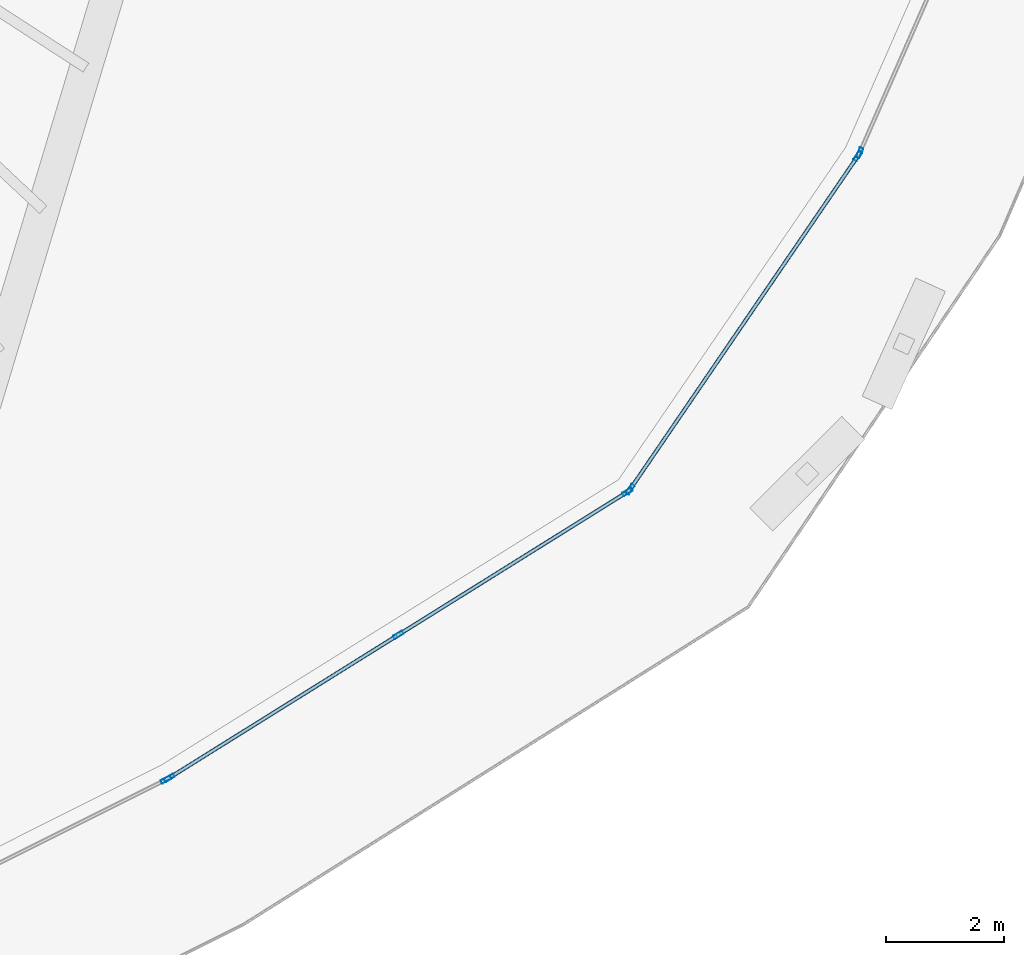
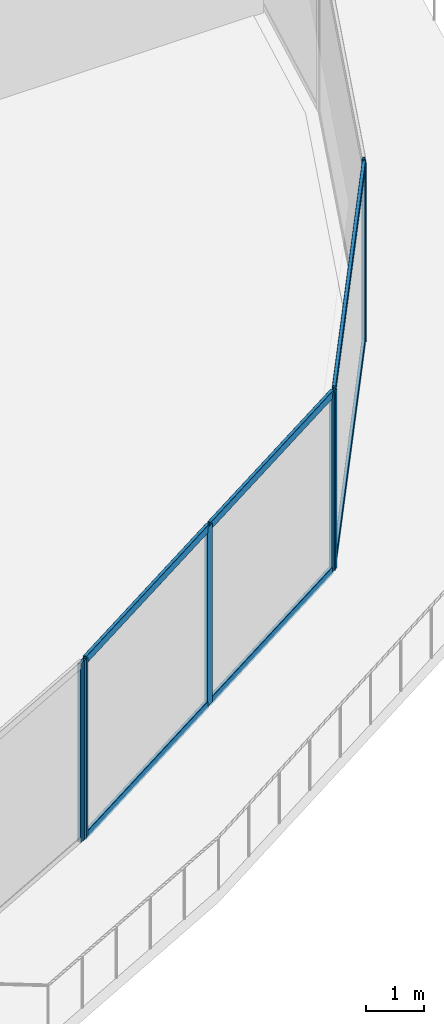
# One storey, part 10 of 42: 13 members, 4 elements without a shape of their own.
"""IFC4 building model written with IfcOpenShell, lengths in metres."""

from ifc_helpers import new_model, si_unit, direction, frame, origin, origin_2d, place, context, subcontext, project, spatial, hollow_rectangle, extrude, material, layer, layer_set, material_profile, profile_set, type_object, element, aggregate, save


model = new_model("IFC4")

# Units and contexts
model_context = context("Model", 3, precision=1e-05, world=origin(), true_north=direction((0.0, 1.0)))
body_context = subcontext(model_context, "Body", "Model", "MODEL_VIEW")
ifc_project = project(units=[si_unit("LENGTHUNIT", "METRE"), si_unit("AREAUNIT", "SQUARE_METRE"), si_unit("VOLUMEUNIT", "CUBIC_METRE"), si_unit("PLANEANGLEUNIT", "RADIAN"), si_unit("MASSUNIT", "GRAM", prefix="KILO")], contexts=[model_context])

# Site, building, storey
site_placement = place(None, origin())
site = spatial("IfcSite", under=ifc_project, at=site_placement, CompositionType="ELEMENT")
building_placement = place(site_placement, origin())
building = spatial("IfcBuilding", under=site, at=building_placement, Name="Qorvath Tower", CompositionType="ELEMENT")
storey_placement = place(building_placement, frame((0.0, 0.0, 121.949951171875)))
storey = spatial("IfcBuildingStorey", under=building, at=storey_placement, Name="L27", CompositionType="ELEMENT", Elevation=121.949951171875)

# Curtain wall, member
ifc_material_1 = material(Name="Anodised aluminium and triple low-E glass", Category="aluminium")
ifc_layer = layer(ifc_material_1, 0.179931640625)
ifc_layer_set = layer_set([ifc_layer], Name="CW-SYS-2")
curtain_wall_type = type_object("IfcCurtainWallType", Name="CW-SYS-2", PredefinedType="NOTDEFINED", material=ifc_layer_set)
curtain_wall_1_placement = place(storey_placement, origin())
curtain_wall_1 = element("IfcCurtainWall", 1, at=curtain_wall_1_placement, inside=storey, type_object=curtain_wall_type, Name="Curtain Wall CW-2 CW-T-L27-3.1", PredefinedType="NOTDEFINED")
ifc_material_2 = material(Name="Anodised aluminium 6063-T6", Category="aluminium")
ifc_material_profile_1 = material_profile(ifc_material_2, hollow_rectangle(XDim=0.06494140625, YDim=0.179931640625, WallThickness=0.00341796875, InnerFilletRadius=0.00341796875, OuterFilletRadius=0.007080078125, at=origin_2d()), Name="CWM 180x65")
ifc_profile_set_1 = profile_set([ifc_material_profile_1], Name="Anodised aluminium 6063-T6")
member_type_1 = type_object("IfcMemberType", Name="CWM-180", PredefinedType="MULLION", material=ifc_profile_set_1)
member_1_placement = place(storey_placement, frame((-11.367431640625, -28.604736328125, 0.0), z_axis=(0.0, 0.0, 1.0), x_axis=(-0.447262398188, 0.894402787992, 0.0)))
member_1 = element("IfcMember", 2, at=member_1_placement, type_object=member_type_1, Name="CW-2 mullion 2", PredefinedType="MULLION", context=body_context, shape_type="SweptSolid", body=[
    extrude(hollow_rectangle(XDim=0.06494140625, YDim=0.179931640625, WallThickness=0.00341796875, InnerFilletRadius=0.00341796875, OuterFilletRadius=0.007080078125, at=origin_2d()), origin(), (0.0, 0.0, 1.0), 3.77001953125),
])
aggregate(curtain_wall_1, [member_1])

# Curtain wall, members
curtain_wall_2_placement = place(storey_placement, origin())
curtain_wall_2 = element("IfcCurtainWall", 3, at=curtain_wall_2_placement, inside=storey, type_object=curtain_wall_type, Name="Curtain Wall CW-2 CW-T-L27-4.1", PredefinedType="NOTDEFINED")
member_2_placement = place(storey_placement, frame((-11.310791015625, -28.572998046875, 0.0), z_axis=(0.0, 0.0, 1.0), x_axis=(-0.529503324069, 0.84830786263, 0.0)))
member_2 = element("IfcMember", 4, at=member_2_placement, type_object=member_type_1, Name="CW-2 mullion 1", PredefinedType="MULLION", context=body_context, shape_type="SweptSolid", body=[
    extrude(hollow_rectangle(XDim=0.06494140625, YDim=0.179931640625, WallThickness=0.00341796875, InnerFilletRadius=0.00341796875, OuterFilletRadius=0.007080078125, at=origin_2d()), origin(), (0.0, 0.0, 1.0), 3.77001953125),
])
member_3_placement = place(storey_placement, frame((-7.4296875, -26.150390625, 0.0), z_axis=(0.0, 0.0, 1.0), x_axis=(-0.529503324069, 0.84830786263, 0.0)))
member_3 = element("IfcMember", 5, at=member_3_placement, type_object=member_type_1, Name="CW-2 mullion 2", PredefinedType="MULLION", context=body_context, shape_type="SweptSolid", body=[
    extrude(hollow_rectangle(XDim=0.06494140625, YDim=0.179931640625, WallThickness=0.00341796875, InnerFilletRadius=0.00341796875, OuterFilletRadius=0.007080078125, at=origin_2d()), origin(), (0.0, 0.0, 1.0), 3.77001953125),
])
member_4_placement = place(storey_placement, frame((-3.548828125, -23.72802734375, 0.0), z_axis=(0.0, 0.0, 1.0), x_axis=(-0.529503324069, 0.84830786263, 0.0)))
member_4 = element("IfcMember", 6, at=member_4_placement, type_object=member_type_1, Name="CW-2 mullion 3", PredefinedType="MULLION", context=body_context, shape_type="SweptSolid", body=[
    extrude(hollow_rectangle(XDim=0.06494140625, YDim=0.179931640625, WallThickness=0.00341796875, InnerFilletRadius=0.00341796875, OuterFilletRadius=0.007080078125, at=origin_2d()), origin(), (0.0, 0.0, 1.0), 3.77001953125),
])

curtain_wall_3_placement = place(storey_placement, origin())
curtain_wall_3 = element("IfcCurtainWall", 7, at=curtain_wall_3_placement, inside=storey, type_object=curtain_wall_type, Name="Curtain Wall CW-2 CW-T-L27-5.1", PredefinedType="NOTDEFINED")
member_5_placement = place(storey_placement, frame((-3.5029296875, -23.683837890625, 0.0), z_axis=(0.0, 0.0, 1.0), x_axis=(-0.825662865244, 0.564163835208, 0.0)))
member_5 = element("IfcMember", 8, at=member_5_placement, type_object=member_type_1, Name="CW-2 mullion 1", PredefinedType="MULLION", context=body_context, shape_type="SweptSolid", body=[
    extrude(hollow_rectangle(XDim=0.06494140625, YDim=0.179931640625, WallThickness=0.00341796875, InnerFilletRadius=0.00341796875, OuterFilletRadius=0.007080078125, at=origin_2d()), origin(), (0.0, 0.0, 1.0), 3.77001953125),
])
member_6_placement = place(storey_placement, frame((0.35400390625, -18.039306640625, 0.0), z_axis=(0.0, 0.0, 1.0), x_axis=(-0.825662865244, 0.564163835208, 0.0)))
member_6 = element("IfcMember", 9, at=member_6_placement, type_object=member_type_1, Name="CW-2 mullion 2", PredefinedType="MULLION", context=body_context, shape_type="SweptSolid", body=[
    extrude(hollow_rectangle(XDim=0.06494140625, YDim=0.179931640625, WallThickness=0.00341796875, InnerFilletRadius=0.00341796875, OuterFilletRadius=0.007080078125, at=origin_2d()), origin(), (0.0, 0.0, 1.0), 3.77001953125),
])

# Curtain wall, member
curtain_wall_4_placement = place(storey_placement, origin())
curtain_wall_4 = element("IfcCurtainWall", 10, at=curtain_wall_4_placement, inside=storey, type_object=curtain_wall_type, Name="Curtain Wall CW-2 CW-T-L27-6.1", PredefinedType="NOTDEFINED")
member_7_placement = place(storey_placement, frame((0.38525390625, -17.982666015625, 0.0), z_axis=(0.0, 0.0, 1.0), x_axis=(-0.915793818987, 0.401648703602, 0.0)))
member_7 = element("IfcMember", 11, at=member_7_placement, type_object=member_type_1, Name="CW-2 mullion 1", PredefinedType="MULLION", context=body_context, shape_type="SweptSolid", body=[
    extrude(hollow_rectangle(XDim=0.06494140625, YDim=0.179931640625, WallThickness=0.00341796875, InnerFilletRadius=0.00341796875, OuterFilletRadius=0.007080078125, at=origin_2d()), origin(), (0.0, 0.0, 1.0), 3.77001953125),
])
aggregate(curtain_wall_4, [member_7])

# Member
ifc_material_3 = material(Name="Anodised aluminium 6063-T6", Category="aluminium")
ifc_material_profile_2 = material_profile(ifc_material_3, hollow_rectangle(XDim=0.06494140625, YDim=0.159912109375, WallThickness=0.00341796875, InnerFilletRadius=0.00341796875, OuterFilletRadius=0.007080078125, at=origin_2d()), Name="CWT 160x65")
ifc_profile_set_2 = profile_set([ifc_material_profile_2], Name="Anodised aluminium 6063-T6")
member_type_2 = type_object("IfcMemberType", Name="CWT-160", PredefinedType="USERDEFINED", material=ifc_profile_set_2)
member_8_placement = place(storey_placement, frame((-11.283203125, -28.5556640625, 0.032470703125), z_axis=(0.848323552443, 0.52947818687, 0.0), x_axis=(-0.52947818687, 0.848323552443, 0.0)))
member_8 = element("IfcMember", 12, at=member_8_placement, type_object=member_type_2, Name="CW-2 transom 1.1", ObjectType="TRANSOM", PredefinedType="USERDEFINED", context=body_context, shape_type="SweptSolid", body=[
    extrude(hollow_rectangle(XDim=0.06494140625, YDim=0.159912109375, WallThickness=0.00341796875, InnerFilletRadius=0.00341796875, OuterFilletRadius=0.007080078125, at=origin_2d()), origin(), (0.0, 0.0, 1.0), 4.510009765625),
])

member_9_placement = place(storey_placement, frame((-11.283203125, -28.5556640625, 3.737548828125), z_axis=(0.848323552443, 0.52947818687, 0.0), x_axis=(-0.52947818687, 0.848323552443, 0.0)))
member_9 = element("IfcMember", 13, at=member_9_placement, type_object=member_type_2, Name="CW-2 transom 1.2", ObjectType="TRANSOM", PredefinedType="USERDEFINED", context=body_context, shape_type="SweptSolid", body=[
    extrude(hollow_rectangle(XDim=0.06494140625, YDim=0.159912109375, WallThickness=0.00341796875, InnerFilletRadius=0.00341796875, OuterFilletRadius=0.007080078125, at=origin_2d()), origin(), (0.0, 0.0, 1.0), 4.510009765625),
])

member_10_placement = place(storey_placement, frame((-7.40234375, -26.13330078125, 0.032470703125), z_axis=(0.848299237237, 0.529517142407, 0.0), x_axis=(-0.529517142407, 0.848299237237, 0.0)))
member_10 = element("IfcMember", 14, at=member_10_placement, type_object=member_type_2, Name="CW-2 transom 2.1", ObjectType="TRANSOM", PredefinedType="USERDEFINED", context=body_context, shape_type="SweptSolid", body=[
    extrude(hollow_rectangle(XDim=0.06494140625, YDim=0.159912109375, WallThickness=0.00341796875, InnerFilletRadius=0.00341796875, OuterFilletRadius=0.007080078125, at=origin_2d()), origin(), (0.0, 0.0, 1.0), 4.510009765625),
])

member_11_placement = place(storey_placement, frame((-7.40234375, -26.13330078125, 3.737548828125), z_axis=(0.848299237237, 0.529517142407, 0.0), x_axis=(-0.529517142407, 0.848299237237, 0.0)))
member_11 = element("IfcMember", 15, at=member_11_placement, type_object=member_type_2, Name="CW-2 transom 2.2", ObjectType="TRANSOM", PredefinedType="USERDEFINED", context=body_context, shape_type="SweptSolid", body=[
    extrude(hollow_rectangle(XDim=0.06494140625, YDim=0.159912109375, WallThickness=0.00341796875, InnerFilletRadius=0.00341796875, OuterFilletRadius=0.007080078125, at=origin_2d()), origin(), (0.0, 0.0, 1.0), 4.510009765625),
])

aggregate(curtain_wall_2, [member_2, member_3, member_4, member_8, member_9, member_10, member_11])

member_12_placement = place(storey_placement, frame((-3.484619140625, -23.656982421875, 0.032470703125), z_axis=(0.564182312323, 0.825650239788, 0.0), x_axis=(-0.825650239788, 0.564182312323, 0.0)))
member_12 = element("IfcMember", 16, at=member_12_placement, type_object=member_type_2, Name="CW-2 transom 1.1", ObjectType="TRANSOM", PredefinedType="USERDEFINED", context=body_context, shape_type="SweptSolid", body=[
    extrude(hollow_rectangle(XDim=0.06494140625, YDim=0.159912109375, WallThickness=0.00341796875, InnerFilletRadius=0.00341796875, OuterFilletRadius=0.007080078125, at=origin_2d()), origin(), (0.0, 0.0, 1.0), 6.771484375),
])

member_13_placement = place(storey_placement, frame((-3.484619140625, -23.656982421875, 3.737548828125), z_axis=(0.564182312323, 0.825650239788, 0.0), x_axis=(-0.825650239788, 0.564182312323, 0.0)))
member_13 = element("IfcMember", 17, at=member_13_placement, type_object=member_type_2, Name="CW-2 transom 1.2", ObjectType="TRANSOM", PredefinedType="USERDEFINED", context=body_context, shape_type="SweptSolid", body=[
    extrude(hollow_rectangle(XDim=0.06494140625, YDim=0.159912109375, WallThickness=0.00341796875, InnerFilletRadius=0.00341796875, OuterFilletRadius=0.007080078125, at=origin_2d()), origin(), (0.0, 0.0, 1.0), 6.771484375),
])

aggregate(curtain_wall_3, [member_5, member_6, member_12, member_13])

save(model, "model.ifc")
